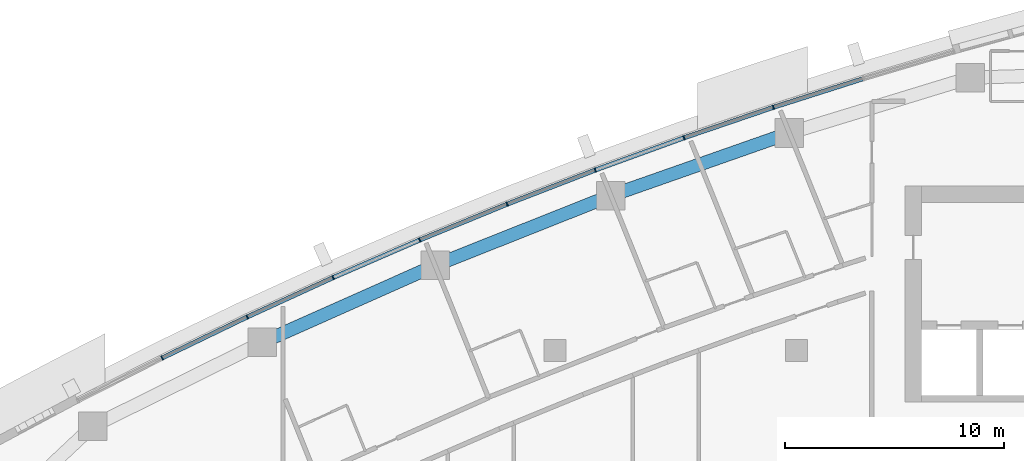
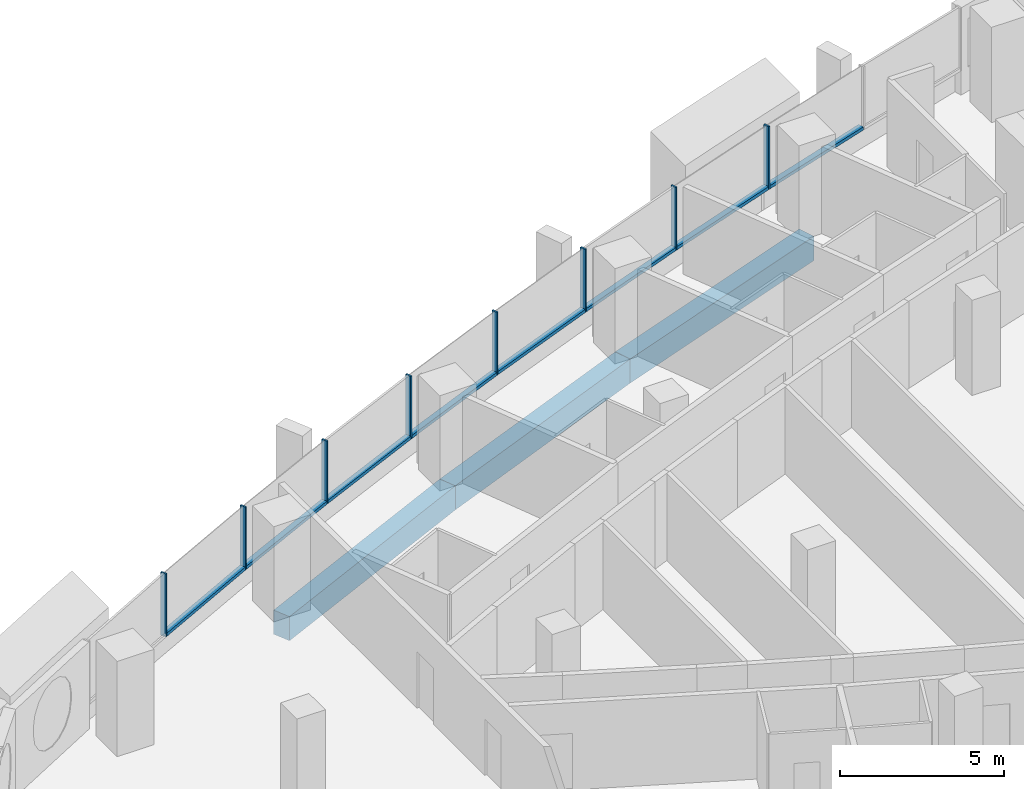
# One storey, part 6 of 17: 16 members, 3 beams, 5 elements without a shape of their own.
"""IFC4 building model written with IfcOpenShell, lengths in metres."""

from ifc_helpers import new_model, si_unit, direction, frame, origin, origin_2d, place, context, subcontext, project, spatial, rectangle, extrude, material, layer, layer_set, material_profile, profile_set, type_object, element, aggregate, save


model = new_model("IFC4")

# Units and contexts
model_context = context("Model", 3, precision=1e-05, world=origin(), true_north=direction((0.0, 1.0)))
body_context = subcontext(model_context, "Body", "Model", "MODEL_VIEW")
ifc_project = project(units=[si_unit("LENGTHUNIT", "METRE"), si_unit("AREAUNIT", "SQUARE_METRE"), si_unit("VOLUMEUNIT", "CUBIC_METRE"), si_unit("PLANEANGLEUNIT", "RADIAN"), si_unit("MASSUNIT", "GRAM", prefix="KILO")], contexts=[model_context])

# Site, building, storey
site_placement = place(None, origin())
site = spatial("IfcSite", under=ifc_project, at=site_placement, CompositionType="ELEMENT")
building_placement = place(site_placement, origin())
building = spatial("IfcBuilding", under=site, at=building_placement, Name="Ostrand Prow Hotel Tower", CompositionType="ELEMENT")
storey_placement = place(building_placement, frame((0.0, 0.0, 175.5)))
storey = spatial("IfcBuildingStorey", under=building, at=storey_placement, Name="L43", CompositionType="ELEMENT", Elevation=175.5)

# Beams
ifc_material_1 = material(Name="Concrete C60/75", Category="concrete")
ifc_material_profile_1 = material_profile(ifc_material_1, rectangle(XDim=0.60009765625, YDim=0.89990234375, at=origin_2d()), Name="RC 600x900")
ifc_profile_set_1 = profile_set([ifc_material_profile_1], Name="Concrete C60/75")
beam_type = type_object("IfcBeamType", Name="Edge beam 600x900 C60/75", PredefinedType="SPANDREL", material=ifc_profile_set_1)
for number, where, z_axis, x_axis, name in (
    (1, (44.6826171875, 18.91552734375, -0.75), (-0.943593618681, -0.33110584831, 0.0), (0.33110584831, -0.943593618681, 0.0), "Edge beam N2-N3"),
    (2, (36.547119140625, 16.060791015625, -0.75), (-0.929376173753, -0.36913402398, 0.0), (0.36913402398, -0.929376173753, 0.0), "Edge beam N3-N4"),
    (3, (28.5341796875, 12.878173828125, -0.75), (-0.91364332073, -0.406516767779, 0.0), (0.406516767779, -0.91364332073, 0.0), "Edge beam N4-N5"),
):
    element("IfcBeam", number, at=place(storey_placement, frame(where, z_axis=z_axis, x_axis=x_axis)), inside=storey, type_object=beam_type, Name=name, PredefinedType="SPANDREL", context=body_context, shape_type="SweptSolid", body=[
        extrude(rectangle(XDim=0.60009765625, YDim=0.89990234375, at=origin_2d()), origin(), (0.0, 0.0, 1.0), 8.621826171875),
    ])

# Curtain wall, member
ifc_material_2 = material(Name="Insulated glass in bronze anodised frame", Category="glass")
ifc_layer = layer(ifc_material_2, 0.199951171875)
ifc_layer_set = layer_set([ifc_layer], Name="Insulated glass in bronze anodised frame")
curtain_wall_type = type_object("IfcCurtainWallType", Name="Strip curtain wall, fritted glass over bronze spandrel", PredefinedType="NOTDEFINED", material=ifc_layer_set)
curtain_wall_1_placement = place(storey_placement, origin())
curtain_wall_1 = element("IfcCurtainWall", 4, at=curtain_wall_1_placement, inside=storey, type_object=curtain_wall_type, Name="CW1 run CWN1", PredefinedType="NOTDEFINED")
ifc_material_3 = material(Name="Bronze anodised aluminium", Category="aluminium")
ifc_material_profile_2 = material_profile(ifc_material_3, rectangle(XDim=0.199951171875, YDim=0.06005859375, at=origin_2d()), Name="Mullion 60x200 bronze anodised aluminium")
ifc_profile_set_2 = profile_set([ifc_material_profile_2], Name="Bronze anodised aluminium")
member_type_1 = type_object("IfcMemberType", Name="Mullion 60x200 bronze anodised aluminium", PredefinedType="MULLION", material=ifc_profile_set_2)
member_1_placement = place(storey_placement, frame((43.95361328125, 20.086669921875, 0.89990234375), z_axis=(0.0, 0.0, 1.0), x_axis=(0.303786970008, -0.952739983864, 0.0)))
member_1 = element("IfcMember", 5, at=member_1_placement, type_object=member_type_1, Name="CW1 mullion 3", PredefinedType="MULLION", context=body_context, shape_type="SweptSolid", body=[
    extrude(rectangle(XDim=0.199951171875, YDim=0.06005859375, at=origin_2d()), origin(), (0.0, 0.0, 1.0), 2.35009765625),
])

# Curtain wall, members
curtain_wall_2_placement = place(storey_placement, origin())
curtain_wall_2 = element("IfcCurtainWall", 6, at=curtain_wall_2_placement, inside=storey, type_object=curtain_wall_type, Name="CW1 run CWN2", PredefinedType="NOTDEFINED")
member_2_placement = place(storey_placement, frame((39.87939453125, 18.696533203125, 0.89990234375), z_axis=(0.0, 0.0, 1.0), x_axis=(0.341897134919, -0.939737383067, 0.0)))
member_2 = element("IfcMember", 7, at=member_2_placement, type_object=member_type_1, Name="CW1 mullion 2", PredefinedType="MULLION", context=body_context, shape_type="SweptSolid", body=[
    extrude(rectangle(XDim=0.199951171875, YDim=0.06005859375, at=origin_2d()), origin(), (0.0, 0.0, 1.0), 2.35009765625),
])
member_3_placement = place(storey_placement, frame((35.833740234375, 17.224609375, 0.89990234375), z_axis=(0.0, 0.0, 1.0), x_axis=(0.341897134919, -0.939737383067, 0.0)))
member_3 = element("IfcMember", 8, at=member_3_placement, type_object=member_type_1, Name="CW1 mullion 3", PredefinedType="MULLION", context=body_context, shape_type="SweptSolid", body=[
    extrude(rectangle(XDim=0.199951171875, YDim=0.06005859375, at=origin_2d()), origin(), (0.0, 0.0, 1.0), 2.35009765625),
])

curtain_wall_3_placement = place(storey_placement, origin())
curtain_wall_3 = element("IfcCurtainWall", 9, at=curtain_wall_3_placement, inside=storey, type_object=curtain_wall_type, Name="CW1 run CWN3", PredefinedType="NOTDEFINED")
member_4_placement = place(storey_placement, frame((31.818603515625, 15.671630859375, 0.89990234375), z_axis=(0.0, 0.0, 1.0), x_axis=(0.379452929936, -0.925211042932, 0.0)))
member_4 = element("IfcMember", 10, at=member_4_placement, type_object=member_type_1, Name="CW1 mullion 2", PredefinedType="MULLION", context=body_context, shape_type="SweptSolid", body=[
    extrude(rectangle(XDim=0.199951171875, YDim=0.06005859375, at=origin_2d()), origin(), (0.0, 0.0, 1.0), 2.35009765625),
])
member_5_placement = place(storey_placement, frame((27.83544921875, 14.0380859375, 0.89990234375), z_axis=(0.0, 0.0, 1.0), x_axis=(0.379452929936, -0.925211042932, 0.0)))
member_5 = element("IfcMember", 11, at=member_5_placement, type_object=member_type_1, Name="CW1 mullion 3", PredefinedType="MULLION", context=body_context, shape_type="SweptSolid", body=[
    extrude(rectangle(XDim=0.199951171875, YDim=0.06005859375, at=origin_2d()), origin(), (0.0, 0.0, 1.0), 2.35009765625),
])

curtain_wall_4_placement = place(storey_placement, origin())
curtain_wall_4 = element("IfcCurtainWall", 12, at=curtain_wall_4_placement, inside=storey, type_object=curtain_wall_type, Name="CW1 run CWN4", PredefinedType="NOTDEFINED")
member_6_placement = place(storey_placement, frame((23.885986328125, 12.32470703125, 0.89990234375), z_axis=(0.0, 0.0, 1.0), x_axis=(0.416393460127, -0.909184517226, 0.0)))
member_6 = element("IfcMember", 13, at=member_6_placement, type_object=member_type_1, Name="CW1 mullion 2", PredefinedType="MULLION", context=body_context, shape_type="SweptSolid", body=[
    extrude(rectangle(XDim=0.199951171875, YDim=0.06005859375, at=origin_2d()), origin(), (0.0, 0.0, 1.0), 2.35009765625),
])
member_7_placement = place(storey_placement, frame((19.971923828125, 10.531982421875, 0.89990234375), z_axis=(0.0, 0.0, 1.0), x_axis=(0.416393460127, -0.909184517226, 0.0)))
member_7 = element("IfcMember", 14, at=member_7_placement, type_object=member_type_1, Name="CW1 mullion 3", PredefinedType="MULLION", context=body_context, shape_type="SweptSolid", body=[
    extrude(rectangle(XDim=0.199951171875, YDim=0.06005859375, at=origin_2d()), origin(), (0.0, 0.0, 1.0), 2.35009765625),
])

# Curtain wall, member
curtain_wall_5_placement = place(storey_placement, origin())
curtain_wall_5 = element("IfcCurtainWall", 15, at=curtain_wall_5_placement, inside=storey, type_object=curtain_wall_type, Name="CW1 run CWN5", PredefinedType="NOTDEFINED")
member_8_placement = place(storey_placement, frame((16.0947265625, 8.660888671875, 0.89990234375), z_axis=(0.0, 0.0, 1.0), x_axis=(0.452658828186, -0.891683792196, 0.0)))
member_8 = element("IfcMember", 16, at=member_8_placement, type_object=member_type_1, Name="CW1 mullion 2", PredefinedType="MULLION", context=body_context, shape_type="SweptSolid", body=[
    extrude(rectangle(XDim=0.199951171875, YDim=0.06005859375, at=origin_2d()), origin(), (0.0, 0.0, 1.0), 2.35009765625),
])

# Member
ifc_material_4 = material(Name="Bronze anodised aluminium", Category="aluminium")
ifc_material_profile_3 = material_profile(ifc_material_4, rectangle(XDim=0.199951171875, YDim=0.1201171875, at=origin_2d()), Name="Transom 120x200 bronze anodised aluminium")
ifc_profile_set_3 = profile_set([ifc_material_profile_3], Name="Bronze anodised aluminium")
member_type_2 = type_object("IfcMemberType", Name="Transom 120x200 bronze anodised aluminium", PredefinedType="USERDEFINED", material=ifc_profile_set_3)
member_9_placement = place(storey_placement, frame((48.026611328125, 21.385498046875, 0.9599609375), z_axis=(-0.952737512605, -0.303794720289, 0.0), x_axis=(0.303794720289, -0.952737512605, 0.0)))
member_9 = element("IfcMember", 17, at=member_9_placement, type_object=member_type_2, Name="CW1 transom 2.1", ObjectType="TRANSOM", PredefinedType="USERDEFINED", context=body_context, shape_type="SweptSolid", body=[
    extrude(rectangle(XDim=0.199951171875, YDim=0.1201171875, at=origin_2d()), origin(), (0.0, 0.0, 1.0), 4.244873046875),
])

aggregate(curtain_wall_1, [member_1, member_9])

member_10_placement = place(storey_placement, frame((43.92529296875, 20.0771484375, 0.9599609375), z_axis=(-0.946422327772, -0.322931536852, 0.0), x_axis=(0.322931536852, -0.946422327772, 0.0)))
member_10 = element("IfcMember", 18, at=member_10_placement, type_object=member_type_2, Name="CW1 transom 1.1", ObjectType="TRANSOM", PredefinedType="USERDEFINED", context=body_context, shape_type="SweptSolid", body=[
    extrude(rectangle(XDim=0.199951171875, YDim=0.1201171875, at=origin_2d()), origin(), (0.0, 0.0, 1.0), 4.2451171875),
])

member_11_placement = place(storey_placement, frame((39.85107421875, 18.686279296875, 0.9599609375), z_axis=(-0.939753116272, -0.341853887584, 0.0), x_axis=(0.341853887584, -0.939753116272, 0.0)))
member_11 = element("IfcMember", 19, at=member_11_placement, type_object=member_type_2, Name="CW1 transom 2.1", ObjectType="TRANSOM", PredefinedType="USERDEFINED", context=body_context, shape_type="SweptSolid", body=[
    extrude(rectangle(XDim=0.199951171875, YDim=0.1201171875, at=origin_2d()), origin(), (0.0, 0.0, 1.0), 4.2451171875),
])

aggregate(curtain_wall_2, [member_2, member_3, member_10, member_11])

member_12_placement = place(storey_placement, frame((35.8056640625, 17.2138671875, 0.9599609375), z_axis=(-0.932675482501, -0.360716570651, 0.0), x_axis=(0.360716570651, -0.932675482501, 0.0)))
member_12 = element("IfcMember", 20, at=member_12_placement, type_object=member_type_2, Name="CW1 transom 1.1", ObjectType="TRANSOM", PredefinedType="USERDEFINED", context=body_context, shape_type="SweptSolid", body=[
    extrude(rectangle(XDim=0.199951171875, YDim=0.1201171875, at=origin_2d()), origin(), (0.0, 0.0, 1.0), 4.2451171875),
])

member_13_placement = place(storey_placement, frame((31.790771484375, 15.660400390625, 0.9599609375), z_axis=(-0.925213143858, -0.379447807258, 0.0), x_axis=(0.379447807258, -0.925213143858, 0.0)))
member_13 = element("IfcMember", 21, at=member_13_placement, type_object=member_type_2, Name="CW1 transom 2.1", ObjectType="TRANSOM", PredefinedType="USERDEFINED", context=body_context, shape_type="SweptSolid", body=[
    extrude(rectangle(XDim=0.199951171875, YDim=0.1201171875, at=origin_2d()), origin(), (0.0, 0.0, 1.0), 4.2451171875),
])

aggregate(curtain_wall_3, [member_4, member_5, member_12, member_13])

member_14_placement = place(storey_placement, frame((27.807861328125, 14.026123046875, 0.9599609375), z_axis=(-0.917389785482, -0.397989926371, 0.0), x_axis=(0.397989926371, -0.917389785482, 0.0)))
member_14 = element("IfcMember", 22, at=member_14_placement, type_object=member_type_2, Name="CW1 transom 1.1", ObjectType="TRANSOM", PredefinedType="USERDEFINED", context=body_context, shape_type="SweptSolid", body=[
    extrude(rectangle(XDim=0.199951171875, YDim=0.1201171875, at=origin_2d()), origin(), (0.0, 0.0, 1.0), 4.244873046875),
])

member_15_placement = place(storey_placement, frame((23.858642578125, 12.312255859375, 0.9599609375), z_axis=(-0.909159196143, -0.416448743628, 0.0), x_axis=(0.416448743628, -0.909159196143, 0.0)))
member_15 = element("IfcMember", 23, at=member_15_placement, type_object=member_type_2, Name="CW1 transom 2.1", ObjectType="TRANSOM", PredefinedType="USERDEFINED", context=body_context, shape_type="SweptSolid", body=[
    extrude(rectangle(XDim=0.199951171875, YDim=0.1201171875, at=origin_2d()), origin(), (0.0, 0.0, 1.0), 4.244873046875),
])

aggregate(curtain_wall_4, [member_6, member_7, member_14, member_15])

member_16_placement = place(storey_placement, frame((19.94482421875, 10.51904296875, 0.9599609375), z_axis=(-0.900619174345, -0.434609137965, 0.0), x_axis=(0.434609137965, -0.900619174345, 0.0)))
member_16 = element("IfcMember", 24, at=member_16_placement, type_object=member_type_2, Name="CW1 transom 1.1", ObjectType="TRANSOM", PredefinedType="USERDEFINED", context=body_context, shape_type="SweptSolid", body=[
    extrude(rectangle(XDim=0.199951171875, YDim=0.1201171875, at=origin_2d()), origin(), (0.0, 0.0, 1.0), 4.2451171875),
])

aggregate(curtain_wall_5, [member_8, member_16])

save(model, "model.ifc")
